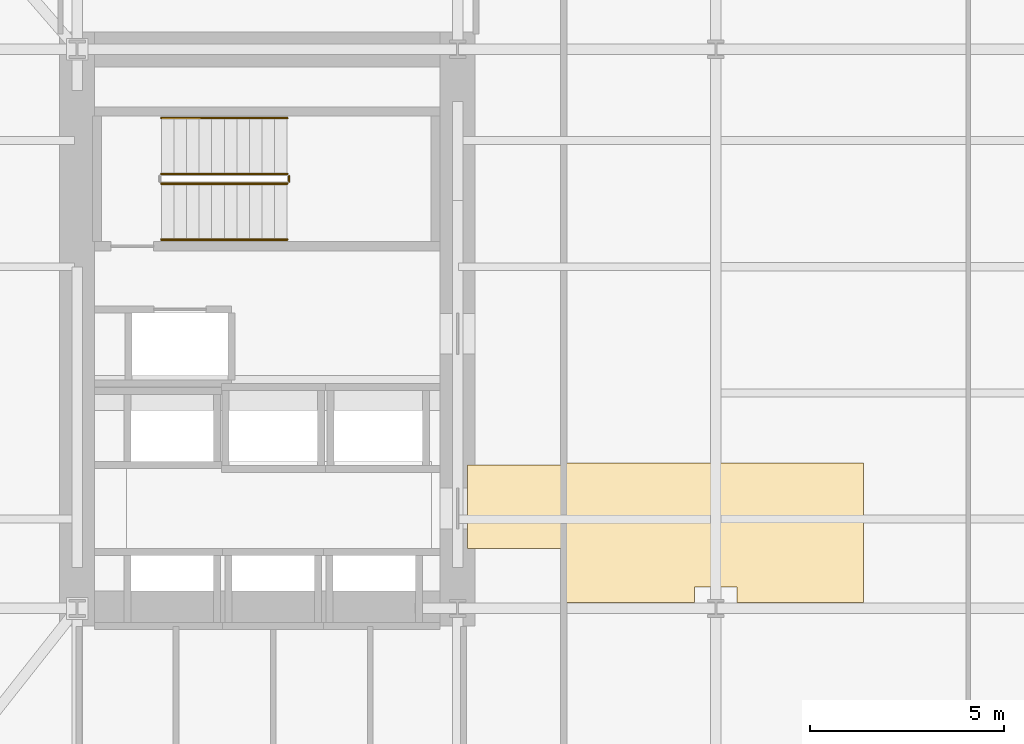
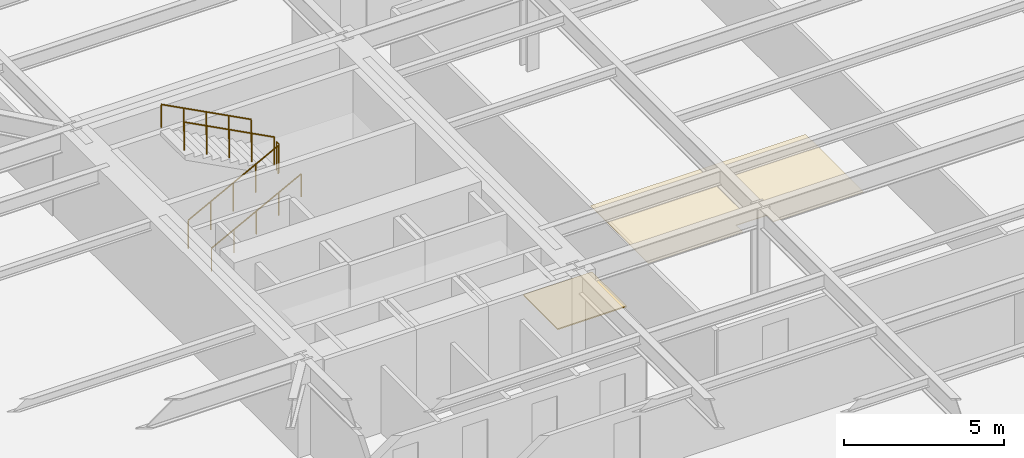
# One storey, part 10 of 15: 5 railings, 2 coverings.
"""IFC4 building model written with IfcOpenShell, lengths in metres."""

from ifc_helpers import new_model, si_unit, direction, frame, origin, origin_2d, place, context, subcontext, project, spatial, polyline, circle, outline, extrude, material, layer, layer_set, type_object, element, save


model = new_model("IFC4")

# Units and contexts
model_context = context("Model", 3, precision=1e-05, world=origin(), true_north=direction((0.0, 1.0)))
body_context = subcontext(model_context, "Body", "Model", "MODEL_VIEW")
ifc_project = project(units=[si_unit("LENGTHUNIT", "METRE"), si_unit("AREAUNIT", "SQUARE_METRE"), si_unit("VOLUMEUNIT", "CUBIC_METRE"), si_unit("PLANEANGLEUNIT", "RADIAN"), si_unit("MASSUNIT", "GRAM", prefix="KILO")], contexts=[model_context])

# Site, building, storey
site_placement = place(None, origin())
site = spatial("IfcSite", under=ifc_project, at=site_placement, CompositionType="ELEMENT")
building_placement = place(site_placement, origin())
building = spatial("IfcBuilding", under=site, at=building_placement, Name="Kolvaren Arena Tower", CompositionType="ELEMENT")
storey_placement = place(building_placement, frame((0.0, 0.0, 45.75)))
storey = spatial("IfcBuildingStorey", under=building, at=storey_placement, Name="L08", CompositionType="ELEMENT", Elevation=45.75)

# Coverings
ifc_material_1 = material(Name="Mineral fibre acoustic ceiling tile", Category="gypsum")
ifc_layer_1 = layer(ifc_material_1, 0.02490234375)
ifc_layer_set_1 = layer_set([ifc_layer_1], Name="Mineral fibre acoustic ceiling tile")
covering_type_1 = type_object("IfcCoveringType", Name="CEIL-ACT-1", PredefinedType="CEILING", material=ifc_layer_set_1)
covering_1_placement = place(storey_placement, frame((0.0, 0.0, 2.52001953125)))
element("IfcCovering", 1, at=covering_1_placement, inside=storey, type_object=covering_type_1, Name="Suspended Ceiling (L08)", PredefinedType="CEILING", context=body_context, shape_type="SweptSolid", body=[
    extrude(outline(polyline([(27.050048828125, 19.60009765625), (27.050048828125, 23.199951171875), (34.800048828125, 23.199951171875), (34.800048828125, 19.60009765625), (31.550048828125, 19.60009765625), (31.550048828125, 20.0), (30.449951171875, 20.0), (30.449951171875, 19.60009765625), (27.050048828125, 19.60009765625)])), origin(), (0.0, 0.0, 1.0), 0.02490234375),
])
ifc_material_2 = material(Name="Raised access office floor finish", Category="aluminium")
ifc_layer_2 = layer(ifc_material_2, 0.044921875)
ifc_layer_set_2 = layer_set([ifc_layer_2], Name="Raised access office floor finish")
covering_type_2 = type_object("IfcCoveringType", Name="FLOR-RAF-1", PredefinedType="FLOORING", material=ifc_layer_set_2)
covering_2_placement = place(storey_placement, origin())
element("IfcCovering", 2, at=covering_2_placement, inside=storey, type_object=covering_type_2, Name="Floor Finish (L08)", PredefinedType="FLOORING", context=body_context, shape_type="SweptSolid", body=[
    extrude(outline(polyline([(24.60009765625, 21.0), (24.60009765625, 23.14990234375), (27.080078125, 23.14990234375), (27.080078125, 21.0), (24.60009765625, 21.0)])), origin(), (0.0, 0.0, 1.0), 0.044921875),
])

# Railings
ifc_material_3 = material(Name="Painted galvanized steel", Category="steel")
railing_type_1 = type_object("IfcRailingType", Name="GUARD-ST-110", PredefinedType="GUARDRAIL", material=ifc_material_3)
railing_1_placement = place(storey_placement, frame((16.719970703125, 30.389892578125, 0.17041015625)))
element("IfcRailing", 3, at=railing_1_placement, inside=storey, type_object=railing_type_1, Name="L08 ST-W1 stair guard 1", PredefinedType="GUARDRAIL", context=body_context, shape_type="SweptSolid", body=[
    extrude(circle(Radius=0.02392578125, at=origin_2d()), frame((0.0, 0.0, 1.076171875), z_axis=(0.884993431791, 0.0, 0.465603506952), x_axis=(0.0, 1.0, 0.0)), (0.0, 0.0, 1.0), 3.6611328125),
    extrude(circle(Radius=0.02099609375, at=origin_2d()), origin(), (0.0, 0.0, 1.0), 1.052001953125),
    extrude(circle(Radius=0.02099609375, at=origin_2d()), frame((0.81005859375, 0.0, 0.42626953125)), (0.0, 0.0, 1.0), 1.052001953125),
    extrude(circle(Radius=0.02099609375, at=origin_2d()), frame((1.6201171875, 0.0, 0.852294921875)), (0.0, 0.0, 1.0), 1.052001953125),
    extrude(circle(Radius=0.02099609375, at=origin_2d()), frame((2.429931640625, 0.0, 1.2783203125)), (0.0, 0.0, 1.0), 1.052001953125),
    extrude(circle(Radius=0.02099609375, at=origin_2d()), frame((3.239990234375, 0.0, 1.70458984375)), (0.0, 0.0, 1.0), 1.052001953125),
])
railing_2_placement = place(storey_placement, frame((20.010009765625, 30.43994140625, 1.875)))
element("IfcRailing", 4, at=railing_2_placement, inside=storey, type_object=railing_type_1, Name="L08 ST-W1 stair guard 2", PredefinedType="GUARDRAIL", context=body_context, shape_type="SweptSolid", body=[
    extrude(circle(Radius=0.02392578125, at=origin_2d()), frame((0.0, 0.0, 1.076171875), z_axis=(0.0, 1.0, 0.0), x_axis=(-1.0, 0.0, 0.0)), (0.0, 0.0, 1.0), 0.150146484375),
    extrude(circle(Radius=0.02099609375, at=origin_2d()), origin(), (0.0, 0.0, 1.0), 1.052001953125),
    extrude(circle(Radius=0.02099609375, at=origin_2d()), frame((0.0, 0.150146484375, 0.0)), (0.0, 0.0, 1.0), 1.052001953125),
])
railing_3_placement = place(storey_placement, frame((19.9599609375, 30.639892578125, 2.04541015625)))
element("IfcRailing", 5, at=railing_3_placement, inside=storey, type_object=railing_type_1, Name="L08 ST-W1 stair guard 3", PredefinedType="GUARDRAIL", context=body_context, shape_type="SweptSolid", body=[
    extrude(circle(Radius=0.02392578125, at=origin_2d()), frame((0.0, 0.0, 1.076171875), z_axis=(-0.884993431791, 0.0, 0.465603506952), x_axis=(0.0, -1.0, 0.0)), (0.0, 0.0, 1.0), 3.6611328125),
    extrude(circle(Radius=0.02099609375, at=origin_2d()), origin(), (0.0, 0.0, 1.0), 1.052001953125),
    extrude(circle(Radius=0.02099609375, at=origin_2d()), frame((-0.81005859375, 0.0, 0.42626953125)), (0.0, 0.0, 1.0), 1.052001953125),
    extrude(circle(Radius=0.02099609375, at=origin_2d()), frame((-1.6201171875, 0.0, 0.852294921875)), (0.0, 0.0, 1.0), 1.052001953125),
    extrude(circle(Radius=0.02099609375, at=origin_2d()), frame((-2.429931640625, 0.0, 1.2783203125)), (0.0, 0.0, 1.0), 1.052001953125),
    extrude(circle(Radius=0.02099609375, at=origin_2d()), frame((-3.239990234375, 0.0, 1.70458984375)), (0.0, 0.0, 1.0), 1.052001953125),
])
ifc_material_4 = material(Name="Brushed stainless steel handrail", Category="steel")
railing_type_2 = type_object("IfcRailingType", Name="HRAIL-900", PredefinedType="HANDRAIL", material=ifc_material_4)
railing_4_placement = place(storey_placement, frame((16.719970703125, 28.949951171875, 0.17041015625)))
element("IfcRailing", 6, at=railing_4_placement, inside=storey, type_object=railing_type_2, Name="L08 ST-W1 stair handrail 1", PredefinedType="HANDRAIL", context=body_context, shape_type="SweptSolid", body=[
    extrude(circle(Radius=0.02392578125, at=origin_2d()), frame((0.0, 0.0, 0.8759765625), z_axis=(0.884993431791, 0.0, 0.465603506952), x_axis=(0.0, 1.0, 0.0)), (0.0, 0.0, 1.0), 3.6611328125),
    extrude(circle(Radius=0.02099609375, at=origin_2d()), origin(), (0.0, 0.0, 1.0), 0.851806640625),
    extrude(circle(Radius=0.02099609375, at=origin_2d()), frame((0.81005859375, 0.0, 0.42626953125)), (0.0, 0.0, 1.0), 0.851806640625),
    extrude(circle(Radius=0.02099609375, at=origin_2d()), frame((1.6201171875, 0.0, 0.852294921875)), (0.0, 0.0, 1.0), 0.851806640625),
    extrude(circle(Radius=0.02099609375, at=origin_2d()), frame((2.429931640625, 0.0, 1.2783203125)), (0.0, 0.0, 1.0), 0.851806640625),
    extrude(circle(Radius=0.02099609375, at=origin_2d()), frame((3.239990234375, 0.0, 1.70458984375)), (0.0, 0.0, 1.0), 0.851806640625),
])
railing_5_placement = place(storey_placement, frame((19.9599609375, 32.080078125, 2.04541015625)))
element("IfcRailing", 7, at=railing_5_placement, inside=storey, type_object=railing_type_2, Name="L08 ST-W1 stair handrail 2", PredefinedType="HANDRAIL", context=body_context, shape_type="SweptSolid", body=[
    extrude(circle(Radius=0.02392578125, at=origin_2d()), frame((0.0, 0.0, 0.8759765625), z_axis=(-0.884993431791, 0.0, 0.465603506952), x_axis=(0.0, -1.0, 0.0)), (0.0, 0.0, 1.0), 3.6611328125),
    extrude(circle(Radius=0.02099609375, at=origin_2d()), origin(), (0.0, 0.0, 1.0), 0.851806640625),
    extrude(circle(Radius=0.02099609375, at=origin_2d()), frame((-0.81005859375, 0.0, 0.42626953125)), (0.0, 0.0, 1.0), 0.851806640625),
    extrude(circle(Radius=0.02099609375, at=origin_2d()), frame((-1.6201171875, 0.0, 0.852294921875)), (0.0, 0.0, 1.0), 0.851806640625),
    extrude(circle(Radius=0.02099609375, at=origin_2d()), frame((-2.429931640625, 0.0, 1.2783203125)), (0.0, 0.0, 1.0), 0.851806640625),
    extrude(circle(Radius=0.02099609375, at=origin_2d()), frame((-3.239990234375, 0.0, 1.70458984375)), (0.0, 0.0, 1.0), 0.851806640625),
])

save(model, "model.ifc")
